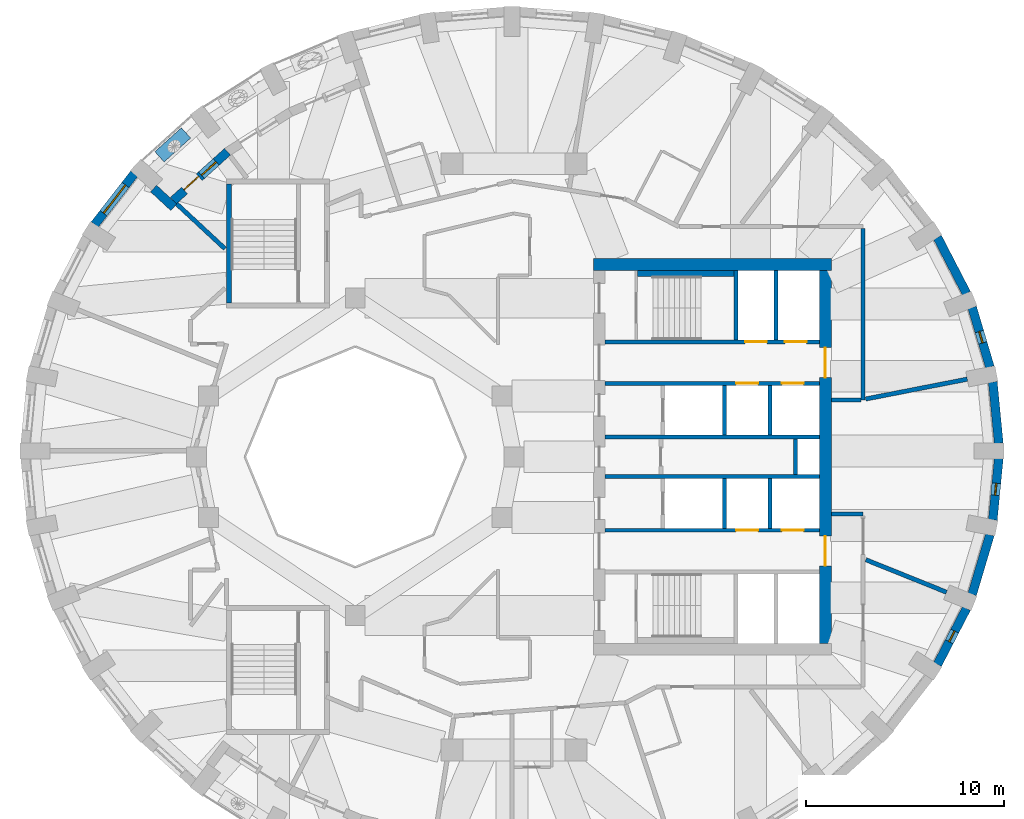
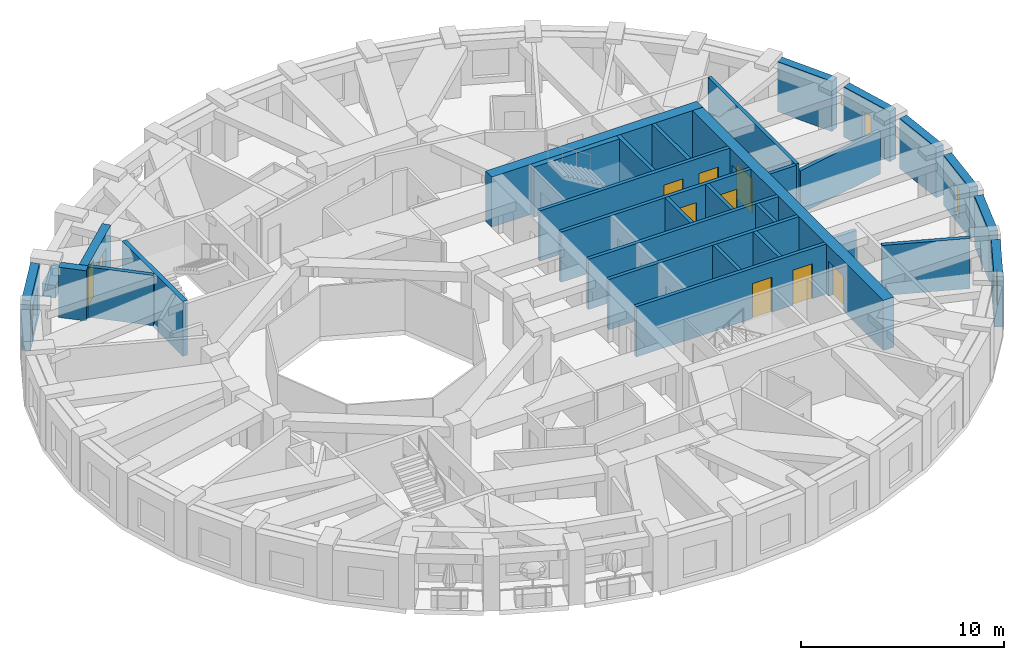
# One storey, part 6 of 12: 32 walls, 9 doors, 5 windows, 14 openings.
"""IFC4 building model written with IfcOpenShell, lengths in metres."""

from ifc_helpers import new_model, si_unit, direction, frame, frame_2d, origin, place, context, subcontext, project, spatial, rectangle, extrude, material, layer, layer_set, constituent, constituent_set, type_object, element, fill, save


model = new_model("IFC4")

# Units and contexts
model_context = context("Model", 3, precision=1e-05, world=origin(), true_north=direction((0.0, 1.0)))
body_context = subcontext(model_context, "Body", "Model", "MODEL_VIEW")
ifc_project = project(units=[si_unit("LENGTHUNIT", "METRE"), si_unit("AREAUNIT", "SQUARE_METRE"), si_unit("VOLUMEUNIT", "CUBIC_METRE"), si_unit("PLANEANGLEUNIT", "RADIAN"), si_unit("MASSUNIT", "GRAM", prefix="KILO")], contexts=[model_context])

# Site, building, storey
site_placement = place(None, origin())
site = spatial("IfcSite", under=ifc_project, at=site_placement, CompositionType="ELEMENT")
building_placement = place(site_placement, origin())
building = spatial("IfcBuilding", under=site, at=building_placement, Name="Taillehof Tower", CompositionType="ELEMENT")
storey_placement = place(building_placement, frame((0.0, 0.0, 253.10009765625)))
storey = spatial("IfcBuildingStorey", under=building, at=storey_placement, Name="L72", CompositionType="ELEMENT", Elevation=253.10009765625)

# Wall
ifc_material_1 = material(Name="Brick masonry", Category="masonry")
ifc_layer_1 = layer(ifc_material_1, 0.449951171875)
ifc_layer_set_1 = layer_set([ifc_layer_1], Name="Brick infill wall 450")
wall_type_1 = type_object("IfcWallType", Name="Brick infill wall 450", PredefinedType="SOLIDWALL", material=ifc_layer_set_1)
wall_1_placement = place(storey_placement, frame((24.43701171875, 0.68017578125, 0.0), z_axis=(0.0, 0.0, 1.0), x_axis=(-0.096740086873, 0.995309678237, 0.0)))
element("IfcWall", 1, at=wall_1_placement, inside=storey, type_object=wall_type_1, Name="Brick wall L72 bay 1", PredefinedType="SOLIDWALL", context=body_context, shape_type="SweptSolid", body=[
    extrude(rectangle(XDim=3.1142578125, YDim=0.449951171875, at=frame_2d((1.55712890625, 0.0))), origin(), (0.0, 0.0, 1.0), 3.02001953125),
])

# Wall, opening, window
wall_2_placement = place(storey_placement, frame((23.989990234375, 4.52587890625, 0.0), z_axis=(0.0, 0.0, 1.0), x_axis=(-0.285263800865, 0.958449040855, 0.0)))
wall_2 = element("IfcWall", 2, at=wall_2_placement, inside=storey, type_object=wall_type_1, Name="Brick wall L72 bay 2", PredefinedType="SOLIDWALL", context=body_context, shape_type="SweptSolid", body=[
    extrude(rectangle(XDim=3.13916015625, YDim=0.449951171875, at=frame_2d((1.569580078125, 0.0))), origin(), (0.0, 0.0, 1.0), 3.02001953125),
])
opening_1_placement = place(wall_2_placement, frame((1.26953125, 0.0, 0.39990234375)))
opening_1 = element("IfcOpeningElement", 3, at=opening_1_placement, cuts=wall_2, Name="Opening W6", PredefinedType="OPENING", context=body_context, shape_type="SweptSolid", body=[
    extrude(rectangle(XDim=0.60009765625, YDim=1.75, at=frame_2d((0.300048828125, 0.875))), frame((0.0, 0.23486328125, 0.0), z_axis=(0.0, -1.0, 0.0), x_axis=(1.0, 0.0, 0.0)), (0.0, 0.0, 1.0), 0.469970703125),
])
ifc_material_2 = material(Name="Aluminium window frame with clear double glazing", Category="aluminium")
window_type_1 = type_object("IfcWindowType", Name="Slot window 600x1750", PartitioningType="SINGLE_PANEL", PredefinedType="WINDOW", material=ifc_material_2)
window_1_placement = place(opening_1_placement, origin())
window_1 = element("IfcWindow", 4, at=window_1_placement, inside=storey, type_object=window_type_1, Name="W6", OverallHeight=1.75, OverallWidth=0.60009765625, PartitioningType="SINGLE_PANEL", PredefinedType="WINDOW", context=body_context, shape_type="SweptSolid", body=[
    extrude(rectangle(XDim=0.60009765625, YDim=1.75, at=frame_2d((0.300048828125, 0.875))), frame((0.0, 0.034912109375, 0.0), z_axis=(0.0, -1.0, 0.0), x_axis=(1.0, 0.0, 0.0)), (0.0, 0.0, 1.0), 0.06005859375),
])
fill(opening_1, window_1)

# Wall
wall_3_placement = place(storey_placement, frame((22.81005859375, 8.239501953125, 0.0), z_axis=(0.0, 0.0, 1.0), x_axis=(-0.459889857669, 0.887975967475, 0.0)))
element("IfcWall", 5, at=wall_3_placement, inside=storey, type_object=wall_type_1, Name="Brick wall L72 bay 3", PredefinedType="SOLIDWALL", context=body_context, shape_type="SweptSolid", body=[
    extrude(rectangle(XDim=3.185791015625, YDim=0.449951171875, at=frame_2d((1.5927734375, 0.0))), origin(), (0.0, 0.0, 1.0), 3.02001953125),
])

# Wall, opening, window
wall_4_placement = place(storey_placement, frame((-19.1416015625, 14.27197265625, 0.0), z_axis=(0.0, 0.0, 1.0), x_axis=(-0.613862536705, -0.789412937587, 0.0)))
wall_4 = element("IfcWall", 6, at=wall_4_placement, inside=storey, type_object=wall_type_1, Name="Brick wall L72 bay 15", PredefinedType="SOLIDWALL", context=body_context, shape_type="SweptSolid", body=[
    extrude(rectangle(XDim=3.247314453125, YDim=0.449951171875, at=frame_2d((1.62353515625, 0.0))), origin(), (0.0, 0.0, 1.0), 3.02001953125),
])
opening_2_placement = place(wall_4_placement, frame((0.7236328125, 0.0, 0.39990234375)))
opening_2 = element("IfcOpeningElement", 7, at=opening_2_placement, cuts=wall_4, Name="Opening W4", PredefinedType="OPENING", context=body_context, shape_type="SweptSolid", body=[
    extrude(rectangle(XDim=1.800048828125, YDim=1.75, at=frame_2d((0.89990234375, 0.875))), frame((0.0, 0.23486328125, 0.0), z_axis=(0.0, -1.0, 0.0), x_axis=(1.0, 0.0, 0.0)), (0.0, 0.0, 1.0), 0.469970703125),
])
ifc_material_3 = material(Name="Aluminium window frame with clear double glazing", Category="aluminium")
window_type_2 = type_object("IfcWindowType", Name="Deep-set window 1800x1750", PartitioningType="SINGLE_PANEL", PredefinedType="WINDOW", material=ifc_material_3)
window_2_placement = place(opening_2_placement, origin())
window_2 = element("IfcWindow", 8, at=window_2_placement, inside=storey, type_object=window_type_2, Name="W4", OverallHeight=1.75, OverallWidth=1.800048828125, PartitioningType="SINGLE_PANEL", PredefinedType="WINDOW", context=body_context, shape_type="SweptSolid", body=[
    extrude(rectangle(XDim=1.800048828125, YDim=1.75, at=frame_2d((0.89990234375, 0.875))), frame((0.0, 0.034912109375, 0.0), z_axis=(0.0, -1.0, 0.0), x_axis=(1.0, 0.0, 0.0)), (0.0, 0.0, 1.0), 0.06005859375),
])
fill(opening_2, window_2)

wall_5_placement = place(storey_placement, frame((21.344970703125, -10.46826171875, 0.0), z_axis=(0.0, 0.0, 1.0), x_axis=(0.459921155255, 0.887959757505, 0.0)))
wall_5 = element("IfcWall", 9, at=wall_5_placement, inside=storey, type_object=wall_type_1, Name="Brick wall L72 bay 34", PredefinedType="SOLIDWALL", context=body_context, shape_type="SweptSolid", body=[
    extrude(rectangle(XDim=3.185546875, YDim=0.449951171875, at=frame_2d((1.5927734375, 0.0))), origin(), (0.0, 0.0, 1.0), 3.02001953125),
])
opening_3_placement = place(wall_5_placement, frame((1.292724609375, 0.0, 0.39990234375)))
opening_3 = element("IfcOpeningElement", 10, at=opening_3_placement, cuts=wall_5, Name="Opening W6", PredefinedType="OPENING", context=body_context, shape_type="SweptSolid", body=[
    extrude(rectangle(XDim=0.60009765625, YDim=1.75, at=frame_2d((0.300048828125, 0.875))), frame((0.0, 0.23486328125, 0.0), z_axis=(0.0, -1.0, 0.0), x_axis=(1.0, 0.0, 0.0)), (0.0, 0.0, 1.0), 0.469970703125),
])
window_3_placement = place(opening_3_placement, origin())
window_3 = element("IfcWindow", 11, at=window_3_placement, inside=storey, type_object=window_type_1, Name="W6", OverallHeight=1.75, OverallWidth=0.60009765625, PartitioningType="SINGLE_PANEL", PredefinedType="WINDOW", context=body_context, shape_type="SweptSolid", body=[
    extrude(rectangle(XDim=0.60009765625, YDim=1.75, at=frame_2d((0.300048828125, 0.875))), frame((0.0, 0.034912109375, 0.0), z_axis=(0.0, -1.0, 0.0), x_axis=(1.0, 0.0, 0.0)), (0.0, 0.0, 1.0), 0.06005859375),
])
fill(opening_3, window_3)

# Wall
wall_6_placement = place(storey_placement, frame((23.094482421875, -6.9345703125, 0.0), z_axis=(0.0, 0.0, 1.0), x_axis=(0.285263800865, 0.958449040855, 0.0)))
element("IfcWall", 12, at=wall_6_placement, inside=storey, type_object=wall_type_1, Name="Brick wall L72 bay 35", PredefinedType="SOLIDWALL", context=body_context, shape_type="SweptSolid", body=[
    extrude(rectangle(XDim=3.13916015625, YDim=0.449951171875, at=frame_2d((1.569580078125, 0.0))), origin(), (0.0, 0.0, 1.0), 3.02001953125),
])

# Wall, opening, window
wall_7_placement = place(storey_placement, frame((24.1357421875, -3.179931640625, 0.0), z_axis=(0.0, 0.0, 1.0), x_axis=(0.09673253904, 0.995310411827, 0.0)))
wall_7 = element("IfcWall", 13, at=wall_7_placement, inside=storey, type_object=wall_type_1, Name="Brick wall L72 bay 36", PredefinedType="SOLIDWALL", context=body_context, shape_type="SweptSolid", body=[
    extrude(rectangle(XDim=3.114501953125, YDim=0.449951171875, at=frame_2d((1.55712890625, 0.0))), origin(), (0.0, 0.0, 1.0), 3.02001953125),
])
opening_4_placement = place(wall_7_placement, frame((1.257080078125, 0.0, 0.39990234375)))
opening_4 = element("IfcOpeningElement", 14, at=opening_4_placement, cuts=wall_7, Name="Opening W6", PredefinedType="OPENING", context=body_context, shape_type="SweptSolid", body=[
    extrude(rectangle(XDim=0.60009765625, YDim=1.75, at=frame_2d((0.300048828125, 0.875))), frame((0.0, 0.23486328125, 0.0), z_axis=(0.0, -1.0, 0.0), x_axis=(1.0, 0.0, 0.0)), (0.0, 0.0, 1.0), 0.469970703125),
])
window_4_placement = place(opening_4_placement, origin())
window_4 = element("IfcWindow", 15, at=window_4_placement, inside=storey, type_object=window_type_1, Name="W6", OverallHeight=1.75, OverallWidth=0.60009765625, PartitioningType="SINGLE_PANEL", PredefinedType="WINDOW", context=body_context, shape_type="SweptSolid", body=[
    extrude(rectangle(XDim=0.60009765625, YDim=1.75, at=frame_2d((0.300048828125, 0.875))), frame((0.0, 0.034912109375, 0.0), z_axis=(0.0, -1.0, 0.0), x_axis=(1.0, 0.0, 0.0)), (0.0, 0.0, 1.0), 0.06005859375),
])
fill(opening_4, window_4)

# Wall
wall_8_placement = place(storey_placement, frame((-18.16748046875, 13.52685546875, 0.0), z_axis=(0.0, 0.0, 1.0), x_axis=(0.732693451389, -0.680558819127, 0.0)))
element("IfcWall", 16, at=wall_8_placement, inside=storey, type_object=wall_type_1, Name="Brick reveal L72 pocket 3", PredefinedType="SOLIDWALL", context=body_context, shape_type="SweptSolid", body=[
    extrude(rectangle(XDim=1.390869140625, YDim=0.449951171875, at=frame_2d((0.6953125, 0.0))), origin(), (0.0, 0.0, 1.0), 3.02001953125),
])

# Wall, openings, door, window
wall_9_placement = place(storey_placement, frame((-14.440673828125, 15.379638671875, 0.0), z_axis=(0.0, 0.0, 1.0), x_axis=(-0.742152631569, -0.670230909057, 0.0)))
wall_9 = element("IfcWall", 17, at=wall_9_placement, inside=storey, type_object=wall_type_1, Name="Brick wall L72 pocket bay 14", PredefinedType="SOLIDWALL", context=body_context, shape_type="SweptSolid", body=[
    extrude(rectangle(XDim=3.68310546875, YDim=0.449951171875, at=frame_2d((1.841552734375, 0.0))), origin(), (0.0, 0.0, 1.0), 3.02001953125),
])
opening_5_placement = place(wall_9_placement, frame((0.7666015625, 0.0, 0.39990234375)))
opening_5 = element("IfcOpeningElement", 18, at=opening_5_placement, cuts=wall_9, Name="Opening W5", PredefinedType="OPENING", context=body_context, shape_type="SweptSolid", body=[
    extrude(rectangle(XDim=1.0, YDim=1.75, at=frame_2d((0.5, 0.875))), frame((0.0, 0.23486328125, 0.0), z_axis=(0.0, -1.0, 0.0), x_axis=(1.0, 0.0, 0.0)), (0.0, 0.0, 1.0), 0.469970703125),
])
opening_6_placement = place(wall_9_placement, frame((1.91650390625, 0.0, 0.0)))
opening_6 = element("IfcOpeningElement", 19, at=opening_6_placement, cuts=wall_9, Name="Opening D7293", PredefinedType="OPENING", context=body_context, shape_type="SweptSolid", body=[
    extrude(rectangle(XDim=1.0, YDim=2.14990234375, at=frame_2d((0.5, 1.074951171875))), frame((0.0, 0.23486328125, 0.0), z_axis=(0.0, -1.0, 0.0), x_axis=(1.0, 0.0, 0.0)), (0.0, 0.0, 1.0), 0.469970703125),
])
ifc_material_4 = material(Name="Aluminium door frame with clear double glazing", Category="aluminium")
door_type_1 = type_object("IfcDoorType", Name="Balcony door 1000x2150", OperationType="SINGLE_SWING_RIGHT", PredefinedType="DOOR", material=ifc_material_4)
door_1_placement = place(opening_6_placement, origin())
door_1 = element("IfcDoor", 20, at=door_1_placement, inside=storey, type_object=door_type_1, Name="Balcony door L72 bay 14", OperationType="SINGLE_SWING_LEFT", OverallHeight=2.14990234375, OverallWidth=1.0, PredefinedType="DOOR", context=body_context, shape_type="SweptSolid", body=[
    extrude(rectangle(XDim=1.0, YDim=2.14990234375, at=frame_2d((0.5, 1.074951171875))), frame((0.0, -0.02490234375, 0.0), z_axis=(0.0, -1.0, 0.0), x_axis=(1.0, 0.0, 0.0)), (0.0, 0.0, 1.0), 0.050048828125),
])
fill(opening_6, door_1)
ifc_material_5 = material(Name="Aluminium window frame with clear double glazing", Category="aluminium")
window_type_3 = type_object("IfcWindowType", Name="Fixed window 1000x1750", PartitioningType="SINGLE_PANEL", PredefinedType="WINDOW", material=ifc_material_5)
window_5_placement = place(opening_5_placement, origin())
window_5 = element("IfcWindow", 21, at=window_5_placement, inside=storey, type_object=window_type_3, Name="W5", OverallHeight=1.75, OverallWidth=1.0, PartitioningType="SINGLE_PANEL", PredefinedType="WINDOW", context=body_context, shape_type="SweptSolid", body=[
    extrude(rectangle(XDim=1.0, YDim=1.75, at=frame_2d((0.5, 0.875))), frame((0.0, 0.034912109375, 0.0), z_axis=(0.0, -1.0, 0.0), x_axis=(1.0, 0.0, 0.0)), (0.0, 0.0, 1.0), 0.06005859375),
])
fill(opening_5, window_5)

# Walls
ifc_material_6 = material(Name="Calcium silicate masonry", Category="masonry")
ifc_layer_2 = layer(ifc_material_6, 0.199951171875)
ifc_layer_set_2 = layer_set([ifc_layer_2], Name="Compartment wall calcium silicate 200")
wall_type_2 = type_object("IfcWallType", Name="Compartment wall calcium silicate 200", PredefinedType="PARTITIONING", material=ifc_layer_set_2)
wall_10_placement = place(storey_placement, frame((14.199951171875, -0.89990234375, 0.0), z_axis=(0.0, 0.0, 1.0), x_axis=(0.0, 1.0, 0.0)))
element("IfcWall", 22, at=wall_10_placement, inside=storey, type_object=wall_type_2, Name="Compartment wall FW", PredefinedType="PARTITIONING", context=body_context, shape_type="SweptSolid", body=[
    extrude(rectangle(XDim=1.7998046875, YDim=0.199951171875, at=frame_2d((0.89990234375, 0.0))), origin(), (0.0, 0.0, 1.0), 3.02001953125),
])
ifc_material_7 = material(Name="Gypsum board on steel studs, two layers each side", Category="steel")
ifc_layer_3 = layer(ifc_material_7, 0.199951171875)
ifc_layer_set_3 = layer_set([ifc_layer_3], Name="Compartment wall corridor 200")
wall_type_3 = type_object("IfcWallType", Name="Compartment wall corridor 200", PredefinedType="PARTITIONING", material=ifc_layer_set_3)
wall_11_placement = place(storey_placement, frame((17.60009765625, 11.5, 0.0), z_axis=(0.0, 0.0, 1.0), x_axis=(0.0, -1.0, 0.0)))
element("IfcWall", 23, at=wall_11_placement, inside=storey, type_object=wall_type_3, Name="Compartment wall", PredefinedType="PARTITIONING", context=body_context, shape_type="SweptSolid", body=[
    extrude(rectangle(XDim=8.622802734375, YDim=0.199951171875, at=frame_2d((4.3115234375, 0.0))), origin(), (0.0, 0.0, 1.0), 3.02001953125),
])
wall_12_placement = place(storey_placement, frame((17.5, 2.877197265625, 0.0), z_axis=(0.0, 0.0, 1.0), x_axis=(-1.0, 0.0, 0.0)))
element("IfcWall", 24, at=wall_12_placement, inside=storey, type_object=wall_type_3, Name="Compartment wall", PredefinedType="PARTITIONING", context=body_context, shape_type="SweptSolid", body=[
    extrude(rectangle(XDim=1.49609375, YDim=0.199951171875, at=frame_2d((0.748046875, 0.0))), origin(), (0.0, 0.0, 1.0), 3.02001953125),
])
wall_13_placement = place(storey_placement, frame((16.00390625, -2.877197265625, 0.0), z_axis=(0.0, 0.0, 1.0), x_axis=(1.0, 0.0, 0.0)))
element("IfcWall", 25, at=wall_13_placement, inside=storey, type_object=wall_type_3, Name="Compartment wall", PredefinedType="PARTITIONING", context=body_context, shape_type="SweptSolid", body=[
    extrude(rectangle(XDim=1.59619140625, YDim=0.199951171875, at=frame_2d((0.798095703125, 0.0))), origin(), (0.0, 0.0, 1.0), 2.56982421875),
])
ifc_material_8 = material(Name="Gypsum board on double steel studs with mineral wool", Category="steel")
ifc_layer_4 = layer(ifc_material_8, 0.219970703125)
ifc_layer_set_4 = layer_set([ifc_layer_4], Name="Compartment wall guest room 220")
wall_type_4 = type_object("IfcWallType", Name="Compartment wall guest room 220", PredefinedType="PARTITIONING", material=ifc_layer_set_4)
wall_14_placement = place(storey_placement, frame((22.8486328125, 3.915771484375, 0.0), z_axis=(0.0, 0.0, 1.0), x_axis=(-0.981474096155, -0.191594881394, 0.0)))
element("IfcWall", 26, at=wall_14_placement, inside=storey, type_object=wall_type_4, Name="Compartment wall", PredefinedType="PARTITIONING", context=body_context, shape_type="SweptSolid", body=[
    extrude(rectangle(XDim=5.225830078125, YDim=0.219970703125, at=frame_2d((2.61279296875, 0.0))), origin(), (0.0, 0.0, 1.0), 2.56982421875),
])
wall_15_placement = place(storey_placement, frame((-17.008544921875, 12.757568359375, 0.0), z_axis=(0.0, 0.0, 1.0), x_axis=(0.732631495403, -0.680625515202, 0.0)))
element("IfcWall", 27, at=wall_15_placement, inside=storey, type_object=wall_type_4, Name="Compartment wall", PredefinedType="PARTITIONING", context=body_context, shape_type="SweptSolid", body=[
    extrude(rectangle(XDim=3.328369140625, YDim=0.219970703125, at=frame_2d((1.6640625, 0.0))), origin(), (0.0, 0.0, 1.0), 3.02001953125),
])
wall_16_placement = place(storey_placement, frame((21.803955078125, -6.824462890625, 0.0), z_axis=(0.0, 0.0, 1.0), x_axis=(-0.927528978592, 0.373751245981, 0.0)))
element("IfcWall", 28, at=wall_16_placement, inside=storey, type_object=wall_type_4, Name="Compartment wall", PredefinedType="PARTITIONING", context=body_context, shape_type="SweptSolid", body=[
    extrude(rectangle(XDim=4.38427734375, YDim=0.219970703125, at=frame_2d((2.192138671875, 0.0))), origin(), (0.0, 0.0, 1.0), 3.02001953125),
])
ifc_material_9 = material(Name="Calcium silicate masonry", Category="masonry")
ifc_layer_5 = layer(ifc_material_9, 0.300048828125)
ifc_layer_set_5 = layer_set([ifc_layer_5], Name="Compartment wall lining calcium silicate 300")
wall_type_5 = type_object("IfcWallType", Name="Compartment wall lining calcium silicate 300", PredefinedType="PARTITIONING", material=ifc_layer_set_5)
wall_17_placement = place(storey_placement, frame((6.219970703125, 9.25, 0.0), z_axis=(0.0, 0.0, 1.0), x_axis=(1.0, 0.0, 0.0)))
element("IfcWall", 29, at=wall_17_placement, inside=storey, type_object=wall_type_5, Name="Compartment wall FW", PredefinedType="PARTITIONING", context=body_context, shape_type="SweptSolid", body=[
    extrude(rectangle(XDim=4.880126953125, YDim=0.300048828125, at=frame_2d((2.43994140625, 0.0))), origin(), (0.0, 0.0, 1.0), 3.02001953125),
])

# Wall, openings, doors
ifc_material_10 = material(Name="Concrete C80/95", Category="concrete")
ifc_layer_6 = layer(ifc_material_10, 0.60009765625)
ifc_layer_set_6 = layer_set([ifc_layer_6], Name="Core wall C80/95 600")
wall_type_6 = type_object("IfcWallType", Name="Core wall C80/95 600", PredefinedType="SHEAR", material=ifc_layer_set_6)
wall_18_placement = place(storey_placement, frame((15.699951171875, -9.39990234375, 0.0), z_axis=(0.0, 0.0, 1.0), x_axis=(0.0, 1.0, 0.0)))
wall_18 = element("IfcWall", 30, at=wall_18_placement, inside=storey, type_object=wall_type_6, Name="Core wall CW05", PredefinedType="SHEAR", context=body_context, shape_type="SweptSolid", body=[
    extrude(rectangle(XDim=18.7998046875, YDim=0.60009765625, at=frame_2d((9.39990234375, 0.0))), origin(), (0.0, 0.0, 1.0), 3.02001953125),
])
opening_7_placement = place(wall_18_placement, frame((13.39990234375, 0.0, 0.0)))
opening_7 = element("IfcOpeningElement", 31, at=opening_7_placement, cuts=wall_18, Name="Opening D7208", PredefinedType="OPENING", context=body_context, shape_type="SweptSolid", body=[
    extrude(rectangle(XDim=1.5, YDim=2.10009765625, at=frame_2d((0.75, 1.050048828125))), frame((0.0, 0.31005859375, 0.0), z_axis=(0.0, -1.0, 0.0), x_axis=(1.0, 0.0, 0.0)), (0.0, 0.0, 1.0), 0.6201171875),
])
opening_8_placement = place(wall_18_placement, frame((3.89990234375, 0.0, 0.0)))
opening_8 = element("IfcOpeningElement", 32, at=opening_8_placement, cuts=wall_18, Name="Opening D7209", PredefinedType="OPENING", context=body_context, shape_type="SweptSolid", body=[
    extrude(rectangle(XDim=1.5, YDim=2.10009765625, at=frame_2d((0.75, 1.050048828125))), frame((0.0, 0.31005859375, 0.0), z_axis=(0.0, -1.0, 0.0), x_axis=(1.0, 0.0, 0.0)), (0.0, 0.0, 1.0), 0.6201171875),
])
ifc_material_11 = material(Name="Steel-faced fire door", Category="steel")
door_type_2 = type_object("IfcDoorType", Name="Lift lobby east door 1500x2100", OperationType="DOUBLE_DOOR_SINGLE_SWING", PredefinedType="DOOR", material=ifc_material_11)
door_2_placement = place(opening_7_placement, origin())
door_2 = element("IfcDoor", 33, at=door_2_placement, inside=storey, type_object=door_type_2, Name="Lift lobby east door north", OperationType="DOUBLE_DOOR_SINGLE_SWING", OverallHeight=2.10009765625, OverallWidth=1.5, PredefinedType="DOOR", context=body_context, shape_type="SweptSolid", body=[
    extrude(rectangle(XDim=1.5, YDim=2.10009765625, at=frame_2d((0.75, 1.050048828125))), frame((0.0, 0.02490234375, 0.0), z_axis=(0.0, -1.0, 0.0), x_axis=(1.0, 0.0, 0.0)), (0.0, 0.0, 1.0), 0.050048828125),
])
fill(opening_7, door_2)
door_3_placement = place(opening_8_placement, origin())
door_3 = element("IfcDoor", 34, at=door_3_placement, inside=storey, type_object=door_type_2, Name="Lift lobby east door south", OperationType="DOUBLE_DOOR_SINGLE_SWING", OverallHeight=2.10009765625, OverallWidth=1.5, PredefinedType="DOOR", context=body_context, shape_type="SweptSolid", body=[
    extrude(rectangle(XDim=1.5, YDim=2.10009765625, at=frame_2d((0.75, 1.050048828125))), frame((0.0, 0.02490234375, 0.0), z_axis=(0.0, -1.0, 0.0), x_axis=(1.0, 0.0, 0.0)), (0.0, 0.0, 1.0), 0.050048828125),
])
fill(opening_8, door_3)

# Walls
wall_19_placement = place(storey_placement, frame((4.0, 9.699951171875, 0.0), z_axis=(0.0, 0.0, 1.0), x_axis=(1.0, 0.0, 0.0)))
element("IfcWall", 35, at=wall_19_placement, inside=storey, type_object=wall_type_6, Name="Core wall CW06", PredefinedType="SHEAR", context=body_context, shape_type="SweptSolid", body=[
    extrude(rectangle(XDim=12.0, YDim=0.60009765625, at=frame_2d((6.0, 0.0))), origin(), (0.0, 0.0, 1.0), 3.02001953125),
])
ifc_material_12 = material(Name="Concrete C30/37 precast", Category="concrete")
ifc_constituent_1 = constituent(ifc_material_12, Name="Structure", Category="concrete")
ifc_material_13 = material(Name="Insulated lining")
ifc_constituent_2 = constituent(ifc_material_13, Name="Lining")
ifc_constituent_set = constituent_set(constituents=[ifc_constituent_1, ifc_constituent_2], Name="Planter trough 700x750")
wall_type_7 = type_object("IfcWallType", Name="Planter trough 700x750", PredefinedType="USERDEFINED", material=ifc_constituent_set)
wall_20_placement = place(storey_placement, frame((-16.5322265625, 16.328125, 0.0), z_axis=(0.0, 0.0, 1.0), x_axis=(-0.743098542319, -0.669182005439, 0.0)))
element("IfcWall", 36, at=wall_20_placement, inside=storey, type_object=wall_type_7, Name="Planter L72 bay 14", ObjectType="PLANTER", PredefinedType="USERDEFINED", context=body_context, shape_type="SweptSolid", body=[
    extrude(rectangle(XDim=1.800048828125, YDim=0.699951171875, at=frame_2d((0.89990234375, 0.0))), origin(), (0.0, 0.0, 1.0), 0.75),
])

# Wall, openings, doors
ifc_material_14 = material(Name="Concrete C50/60", Category="concrete")
ifc_layer_7 = layer(ifc_material_14, 0.199951171875)
ifc_layer_set_7 = layer_set([ifc_layer_7], Name="Shaft wall C50/60 200")
wall_type_8 = type_object("IfcWallType", Name="Shaft wall C50/60 200", PredefinedType="SHEAR", material=ifc_layer_set_7)
wall_21_placement = place(storey_placement, frame((4.60009765625, 5.800048828125, 0.0), z_axis=(0.0, 0.0, 1.0), x_axis=(1.0, 0.0, 0.0)))
wall_21 = element("IfcWall", 37, at=wall_21_placement, inside=storey, type_object=wall_type_8, Name="Shaft wall SW", PredefinedType="SHEAR", context=body_context, shape_type="SweptSolid", body=[
    extrude(rectangle(XDim=10.7998046875, YDim=0.199951171875, at=frame_2d((5.39990234375, 0.0))), origin(), (0.0, 0.0, 1.0), 3.02001953125),
])
opening_9_placement = place(wall_21_placement, frame((7.050048828125, 0.0, 0.0)))
opening_9 = element("IfcOpeningElement", 38, at=opening_9_placement, cuts=wall_21, Name="Opening LD1", PredefinedType="OPENING", context=body_context, shape_type="SweptSolid", body=[
    extrude(rectangle(XDim=1.10009765625, YDim=2.10009765625, at=frame_2d((0.550048828125, 1.050048828125))), frame((0.0, 0.10986328125, 0.0), z_axis=(0.0, -1.0, 0.0), x_axis=(1.0, 0.0, 0.0)), (0.0, 0.0, 1.0), 0.219970703125),
])
opening_10_placement = place(wall_21_placement, frame((9.050048828125, 0.0, 0.0)))
opening_10 = element("IfcOpeningElement", 39, at=opening_10_placement, cuts=wall_21, Name="Opening LD1", PredefinedType="OPENING", context=body_context, shape_type="SweptSolid", body=[
    extrude(rectangle(XDim=1.10009765625, YDim=2.10009765625, at=frame_2d((0.550048828125, 1.050048828125))), frame((0.0, 0.10986328125, 0.0), z_axis=(0.0, -1.0, 0.0), x_axis=(1.0, 0.0, 0.0)), (0.0, 0.0, 1.0), 0.219970703125),
])
ifc_material_15 = material(Name="Stainless steel", Category="steel")
door_type_3 = type_object("IfcDoorType", Name="Lift landing door LD1 1100x2100", OperationType="DOUBLE_DOOR_SLIDING", PredefinedType="DOOR", material=ifc_material_15)
door_4_placement = place(opening_9_placement, origin())
door_4 = element("IfcDoor", 40, at=door_4_placement, inside=storey, type_object=door_type_3, Name="Landing door HR1", OperationType="DOUBLE_DOOR_SLIDING", OverallHeight=2.10009765625, OverallWidth=1.10009765625, PredefinedType="DOOR", context=body_context, shape_type="SweptSolid", body=[
    extrude(rectangle(XDim=1.10009765625, YDim=2.10009765625, at=frame_2d((0.550048828125, 1.050048828125))), frame((0.0, 0.02490234375, 0.0), z_axis=(0.0, -1.0, 0.0), x_axis=(1.0, 0.0, 0.0)), (0.0, 0.0, 1.0), 0.050048828125),
])
fill(opening_9, door_4)
door_5_placement = place(opening_10_placement, origin())
door_5 = element("IfcDoor", 41, at=door_5_placement, inside=storey, type_object=door_type_3, Name="Landing door HR2", OperationType="DOUBLE_DOOR_SLIDING", OverallHeight=2.10009765625, OverallWidth=1.10009765625, PredefinedType="DOOR", context=body_context, shape_type="SweptSolid", body=[
    extrude(rectangle(XDim=1.10009765625, YDim=2.10009765625, at=frame_2d((0.550048828125, 1.050048828125))), frame((0.0, 0.02490234375, 0.0), z_axis=(0.0, -1.0, 0.0), x_axis=(1.0, 0.0, 0.0)), (0.0, 0.0, 1.0), 0.050048828125),
])
fill(opening_10, door_5)

wall_22_placement = place(storey_placement, frame((4.60009765625, 3.699951171875, 0.0), z_axis=(0.0, 0.0, 1.0), x_axis=(1.0, 0.0, 0.0)))
wall_22 = element("IfcWall", 42, at=wall_22_placement, inside=storey, type_object=wall_type_8, Name="Shaft wall SW", PredefinedType="SHEAR", context=body_context, shape_type="SweptSolid", body=[
    extrude(rectangle(XDim=10.7998046875, YDim=0.199951171875, at=frame_2d((5.39990234375, 0.0))), origin(), (0.0, 0.0, 1.0), 3.02001953125),
])
opening_11_placement = place(wall_22_placement, frame((6.60009765625, 0.0, 0.0)))
opening_11 = element("IfcOpeningElement", 43, at=opening_11_placement, cuts=wall_22, Name="Opening LD1", PredefinedType="OPENING", context=body_context, shape_type="SweptSolid", body=[
    extrude(rectangle(XDim=1.10009765625, YDim=2.10009765625, at=frame_2d((0.550048828125, 1.050048828125))), frame((0.0, 0.10986328125, 0.0), z_axis=(0.0, -1.0, 0.0), x_axis=(1.0, 0.0, 0.0)), (0.0, 0.0, 1.0), 0.219970703125),
])
opening_12_placement = place(wall_22_placement, frame((8.89990234375, 0.0, 0.0)))
opening_12 = element("IfcOpeningElement", 44, at=opening_12_placement, cuts=wall_22, Name="Opening LD1", PredefinedType="OPENING", context=body_context, shape_type="SweptSolid", body=[
    extrude(rectangle(XDim=1.10009765625, YDim=2.10009765625, at=frame_2d((0.550048828125, 1.050048828125))), frame((0.0, 0.10986328125, 0.0), z_axis=(0.0, -1.0, 0.0), x_axis=(1.0, 0.0, 0.0)), (0.0, 0.0, 1.0), 0.219970703125),
])
door_6_placement = place(opening_11_placement, origin())
door_6 = element("IfcDoor", 45, at=door_6_placement, inside=storey, type_object=door_type_3, Name="Landing door HR3", OperationType="DOUBLE_DOOR_SLIDING", OverallHeight=2.10009765625, OverallWidth=1.10009765625, PredefinedType="DOOR", context=body_context, shape_type="SweptSolid", body=[
    extrude(rectangle(XDim=1.10009765625, YDim=2.10009765625, at=frame_2d((0.550048828125, 1.050048828125))), frame((0.0, 0.02490234375, 0.0), z_axis=(0.0, -1.0, 0.0), x_axis=(1.0, 0.0, 0.0)), (0.0, 0.0, 1.0), 0.050048828125),
])
fill(opening_11, door_6)
door_7_placement = place(opening_12_placement, origin())
door_7 = element("IfcDoor", 46, at=door_7_placement, inside=storey, type_object=door_type_3, Name="Landing door HR4", OperationType="DOUBLE_DOOR_SLIDING", OverallHeight=2.10009765625, OverallWidth=1.10009765625, PredefinedType="DOOR", context=body_context, shape_type="SweptSolid", body=[
    extrude(rectangle(XDim=1.10009765625, YDim=2.10009765625, at=frame_2d((0.550048828125, 1.050048828125))), frame((0.0, 0.02490234375, 0.0), z_axis=(0.0, -1.0, 0.0), x_axis=(1.0, 0.0, 0.0)), (0.0, 0.0, 1.0), 0.050048828125),
])
fill(opening_12, door_7)

# Walls
for number, where, z_axis, x_axis, name in (
    (47, (4.60009765625, 1.0, 0.0), (0.0, 0.0, 1.0), (1.0, 0.0, 0.0), "Shaft wall SW"),
    (48, (4.60009765625, -1.0, 0.0), (0.0, 0.0, 1.0), (1.0, 0.0, 0.0), "Shaft wall SW"),
):
    element("IfcWall", number, at=place(storey_placement, frame(where, z_axis=z_axis, x_axis=x_axis)), inside=storey, type_object=wall_type_8, Name=name, PredefinedType="SHEAR", context=body_context, shape_type="SweptSolid", body=[
        extrude(rectangle(XDim=10.7998046875, YDim=0.199951171875, at=frame_2d((5.39990234375, 0.0))), origin(), (0.0, 0.0, 1.0), 3.02001953125),
    ])

# Wall, openings, doors
wall_23_placement = place(storey_placement, frame((4.60009765625, -3.699951171875, 0.0), z_axis=(0.0, 0.0, 1.0), x_axis=(1.0, 0.0, 0.0)))
wall_23 = element("IfcWall", 49, at=wall_23_placement, inside=storey, type_object=wall_type_8, Name="Shaft wall SW", PredefinedType="SHEAR", context=body_context, shape_type="SweptSolid", body=[
    extrude(rectangle(XDim=10.7998046875, YDim=0.199951171875, at=frame_2d((5.39990234375, 0.0))), origin(), (0.0, 0.0, 1.0), 3.02001953125),
])
opening_13_placement = place(wall_23_placement, frame((6.60009765625, 0.0, 0.0)))
opening_13 = element("IfcOpeningElement", 50, at=opening_13_placement, cuts=wall_23, Name="Opening LD1", PredefinedType="OPENING", context=body_context, shape_type="SweptSolid", body=[
    extrude(rectangle(XDim=1.10009765625, YDim=2.10009765625, at=frame_2d((0.550048828125, 1.050048828125))), frame((0.0, 0.10986328125, 0.0), z_axis=(0.0, -1.0, 0.0), x_axis=(1.0, 0.0, 0.0)), (0.0, 0.0, 1.0), 0.219970703125),
])
opening_14_placement = place(wall_23_placement, frame((8.89990234375, 0.0, 0.0)))
opening_14 = element("IfcOpeningElement", 51, at=opening_14_placement, cuts=wall_23, Name="Opening LD1", PredefinedType="OPENING", context=body_context, shape_type="SweptSolid", body=[
    extrude(rectangle(XDim=1.10009765625, YDim=2.10009765625, at=frame_2d((0.550048828125, 1.050048828125))), frame((0.0, 0.10986328125, 0.0), z_axis=(0.0, -1.0, 0.0), x_axis=(1.0, 0.0, 0.0)), (0.0, 0.0, 1.0), 0.219970703125),
])
door_8_placement = place(opening_13_placement, origin())
door_8 = element("IfcDoor", 52, at=door_8_placement, inside=storey, type_object=door_type_3, Name="Landing door HR5", OperationType="DOUBLE_DOOR_SLIDING", OverallHeight=2.10009765625, OverallWidth=1.10009765625, PredefinedType="DOOR", context=body_context, shape_type="SweptSolid", body=[
    extrude(rectangle(XDim=1.10009765625, YDim=2.10009765625, at=frame_2d((0.550048828125, 1.050048828125))), frame((0.0, 0.02490234375, 0.0), z_axis=(0.0, -1.0, 0.0), x_axis=(1.0, 0.0, 0.0)), (0.0, 0.0, 1.0), 0.050048828125),
])
fill(opening_13, door_8)
door_9_placement = place(opening_14_placement, origin())
door_9 = element("IfcDoor", 53, at=door_9_placement, inside=storey, type_object=door_type_3, Name="Landing door HR6", OperationType="DOUBLE_DOOR_SLIDING", OverallHeight=2.10009765625, OverallWidth=1.10009765625, PredefinedType="DOOR", context=body_context, shape_type="SweptSolid", body=[
    extrude(rectangle(XDim=1.10009765625, YDim=2.10009765625, at=frame_2d((0.550048828125, 1.050048828125))), frame((0.0, 0.02490234375, 0.0), z_axis=(0.0, -1.0, 0.0), x_axis=(1.0, 0.0, 0.0)), (0.0, 0.0, 1.0), 0.050048828125),
])
fill(opening_14, door_9)

# Walls
for number, where, z_axis, x_axis, name in (
    (54, (11.199951171875, 5.89990234375, 0.0), (0.0, 0.0, 1.0), (0.0, 1.0, 0.0), "Shaft wall SW"),
    (55, (13.199951171875, 5.89990234375, 0.0), (0.0, 0.0, 1.0), (0.0, 1.0, 0.0), "Shaft wall SW"),
):
    element("IfcWall", number, at=place(storey_placement, frame(where, z_axis=z_axis, x_axis=x_axis)), inside=storey, type_object=wall_type_8, Name=name, PredefinedType="SHEAR", context=body_context, shape_type="SweptSolid", body=[
        extrude(rectangle(XDim=3.5, YDim=0.199951171875, at=frame_2d((1.75, 0.0))), origin(), (0.0, 0.0, 1.0), 3.02001953125),
    ])
for number, where, z_axis, x_axis, name in (
    (56, (10.60009765625, 1.10009765625, 0.0), (0.0, 0.0, 1.0), (0.0, 1.0, 0.0), "Shaft wall SW"),
    (57, (10.60009765625, -3.60009765625, 0.0), (0.0, 0.0, 1.0), (0.0, 1.0, 0.0), "Shaft wall SW"),
    (58, (12.89990234375, 1.10009765625, 0.0), (0.0, 0.0, 1.0), (0.0, 1.0, 0.0), "Shaft wall SW"),
    (59, (12.89990234375, -3.60009765625, 0.0), (0.0, 0.0, 1.0), (0.0, 1.0, 0.0), "Shaft wall SW"),
):
    element("IfcWall", number, at=place(storey_placement, frame(where, z_axis=z_axis, x_axis=x_axis)), inside=storey, type_object=wall_type_8, Name=name, PredefinedType="SHEAR", context=body_context, shape_type="SweptSolid", body=[
        extrude(rectangle(XDim=2.5, YDim=0.199951171875, at=frame_2d((1.25, 0.0))), origin(), (0.0, 0.0, 1.0), 3.02001953125),
    ])
ifc_material_16 = material(Name="Concrete C50/60", Category="concrete")
ifc_layer_8 = layer(ifc_material_16, 0.25)
ifc_layer_set_8 = layer_set([ifc_layer_8], Name="Stair wall C50/60 250")
wall_type_9 = type_object("IfcWallType", Name="Stair wall C50/60 250", PredefinedType="SHEAR", material=ifc_layer_set_8)
wall_24_placement = place(storey_placement, frame((-14.375, 7.75, -0.280029296875), z_axis=(0.0, 0.0, 1.0), x_axis=(0.0, 1.0, 0.0)))
element("IfcWall", 60, at=wall_24_placement, inside=storey, type_object=wall_type_9, Name="Stair wall SC", PredefinedType="SHEAR", context=body_context, shape_type="SweptSolid", body=[
    extrude(rectangle(XDim=6.0, YDim=0.25, at=frame_2d((3.0, 0.0))), origin(), (0.0, 0.0, 1.0), 3.300048828125),
])

save(model, "model.ifc")
